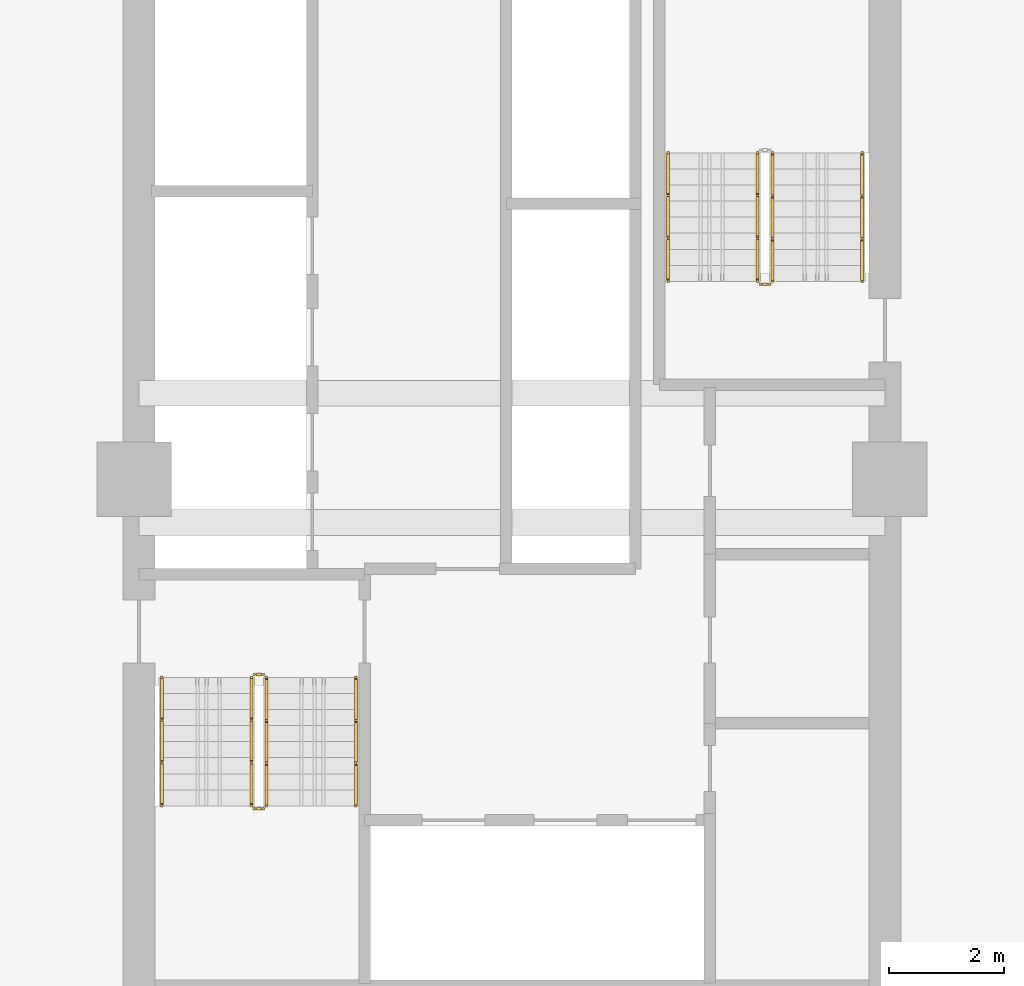
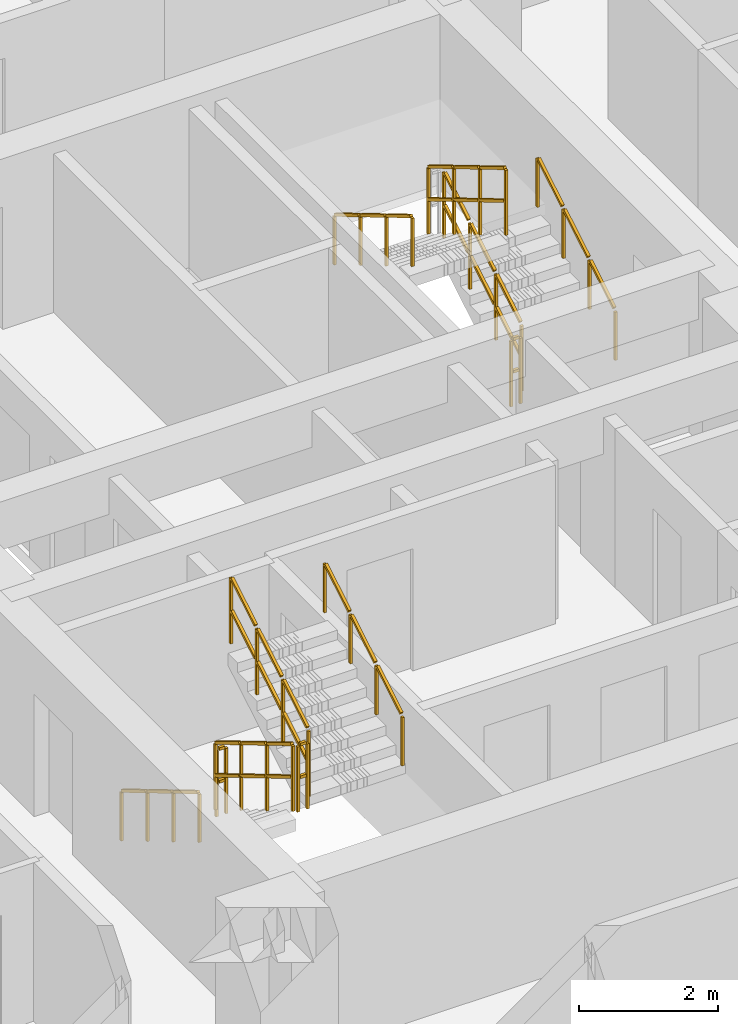
# One storey, part 13 of 15: 11 railings.
"""IFC4 building model written with IfcOpenShell, lengths in metres."""

from ifc_helpers import new_model, si_unit, direction, frame, origin, origin_2d, place, context, subcontext, project, spatial, rectangle, extrude, material, type_object, element, save


model = new_model("IFC4")

# Units and contexts
model_context = context("Model", 3, precision=1e-05, world=origin(), true_north=direction((0.0, 1.0)))
body_context = subcontext(model_context, "Body", "Model", "MODEL_VIEW")
ifc_project = project(units=[si_unit("LENGTHUNIT", "METRE"), si_unit("AREAUNIT", "SQUARE_METRE"), si_unit("VOLUMEUNIT", "CUBIC_METRE"), si_unit("PLANEANGLEUNIT", "RADIAN"), si_unit("MASSUNIT", "GRAM", prefix="KILO")], contexts=[model_context])

# Site, building, storey
site_placement = place(None, origin())
site = spatial("IfcSite", under=ifc_project, at=site_placement, CompositionType="ELEMENT")
building_placement = place(site_placement, origin())
building = spatial("IfcBuilding", under=site, at=building_placement, Name="Saelheon Loggia Tower", CompositionType="ELEMENT")
storey_placement = place(building_placement, frame((0.0, 0.0, 77.85009765625)))
storey = spatial("IfcBuildingStorey", under=building, at=storey_placement, Name="L24", CompositionType="ELEMENT", Elevation=77.85009765625)

# Railings
ifc_material_1 = material(Name="Galvanised Steel S275 Stairwell Guardrail", Category="steel")
railing_type_1 = type_object("IfcRailingType", Name="Guard_StairWell_RL_STG", PredefinedType="GUARDRAIL", material=ifc_material_1)
railing_1_placement = place(storey_placement, frame((33.4599609375, 23.550048828125, 0.16650390625)))
element("IfcRailing", 1, at=railing_1_placement, inside=storey, type_object=railing_type_1, Name="L24 ST1 stair guard 1", PredefinedType="GUARDRAIL", context=body_context, shape_type="SweptSolid", body=[
    extrude(rectangle(XDim=0.048095703125, YDim=0.048095703125, at=origin_2d()), frame((0.0, -0.028564453125, 1.19287109375), z_axis=(0.0, -0.859264461869, 0.511531606619), x_axis=(1.0, 0.0, 0.0)), (0.0, 0.0, 1.0), 0.802490234375),
    extrude(rectangle(XDim=0.048095703125, YDim=0.048095703125, at=origin_2d()), frame((0.0, -0.028564453125, 0.616943359375), z_axis=(0.0, -0.859264461869, 0.511531606619), x_axis=(1.0, 0.0, 0.0)), (0.0, 0.0, 1.0), 0.802490234375),
    extrude(rectangle(XDim=0.048095703125, YDim=0.048095703125, at=origin_2d()), frame((0.0, -0.775146484375, 1.637451171875), z_axis=(0.0, -0.859264461869, 0.511531606619), x_axis=(1.0, 0.0, 0.0)), (0.0, 0.0, 1.0), 0.802490234375),
    extrude(rectangle(XDim=0.048095703125, YDim=0.048095703125, at=origin_2d()), frame((0.0, -0.775146484375, 1.0615234375), z_axis=(0.0, -0.859264461869, 0.511531606619), x_axis=(1.0, 0.0, 0.0)), (0.0, 0.0, 1.0), 0.802490234375),
    extrude(rectangle(XDim=0.048095703125, YDim=0.048095703125, at=origin_2d()), frame((0.0, -1.52197265625, 2.081787109375), z_axis=(0.0, -0.859264461869, 0.511531606619), x_axis=(1.0, 0.0, 0.0)), (0.0, 0.0, 1.0), 0.802490234375),
    extrude(rectangle(XDim=0.048095703125, YDim=0.048095703125, at=origin_2d()), frame((0.0, -1.52197265625, 1.505859375), z_axis=(0.0, -0.859264461869, 0.511531606619), x_axis=(1.0, 0.0, 0.0)), (0.0, 0.0, 1.0), 0.802490234375),
    extrude(rectangle(XDim=0.0419921875, YDim=0.0419921875, at=origin_2d()), origin(), (0.0, 0.0, 1.0), 1.14794921875),
    extrude(rectangle(XDim=0.0419921875, YDim=0.0419921875, at=origin_2d()), frame((0.0, -0.74658203125, 0.444580078125)), (0.0, 0.0, 1.0), 1.14794921875),
    extrude(rectangle(XDim=0.0419921875, YDim=0.0419921875, at=origin_2d()), frame((0.0, -1.493408203125, 0.888916015625)), (0.0, 0.0, 1.0), 1.14794921875),
    extrude(rectangle(XDim=0.0419921875, YDim=0.0419921875, at=origin_2d()), frame((0.0, -2.239990234375, 1.33349609375)), (0.0, 0.0, 1.0), 1.14794921875),
])
railing_2_placement = place(storey_placement, frame((33.510009765625, 21.260009765625, 1.5)))
element("IfcRailing", 2, at=railing_2_placement, inside=storey, type_object=railing_type_1, Name="L24 ST1 stair guard 2", PredefinedType="GUARDRAIL", context=body_context, shape_type="SweptSolid", body=[
    extrude(rectangle(XDim=0.048095703125, YDim=0.048095703125, at=origin_2d()), frame((0.033203125, 0.0, 1.17578125), z_axis=(1.0, 0.0, 0.0), x_axis=(0.0, 1.0, 0.0)), (0.0, 0.0, 1.0), 0.093505859375),
    extrude(rectangle(XDim=0.048095703125, YDim=0.048095703125, at=origin_2d()), frame((0.033203125, 0.0, 0.60009765625), z_axis=(1.0, 0.0, 0.0), x_axis=(0.0, 1.0, 0.0)), (0.0, 0.0, 1.0), 0.093505859375),
    extrude(rectangle(XDim=0.0419921875, YDim=0.0419921875, at=origin_2d()), origin(), (0.0, 0.0, 1.0), 1.14794921875),
    extrude(rectangle(XDim=0.0419921875, YDim=0.0419921875, at=origin_2d()), frame((0.159912109375, 0.0, 0.0)), (0.0, 0.0, 1.0), 1.14794921875),
])
railing_3_placement = place(storey_placement, frame((33.719970703125, 21.31005859375, 1.66650390625)))
element("IfcRailing", 3, at=railing_3_placement, inside=storey, type_object=railing_type_1, Name="L24 ST1 stair guard 3", PredefinedType="GUARDRAIL", context=body_context, shape_type="SweptSolid", body=[
    extrude(rectangle(XDim=0.048095703125, YDim=0.048095703125, at=origin_2d()), frame((0.0, 0.028564453125, 1.19287109375), z_axis=(0.0, 0.859264461869, 0.511531606619), x_axis=(-1.0, 0.0, 0.0)), (0.0, 0.0, 1.0), 0.802490234375),
    extrude(rectangle(XDim=0.048095703125, YDim=0.048095703125, at=origin_2d()), frame((0.0, 0.028564453125, 0.616943359375), z_axis=(0.0, 0.859264461869, 0.511531606619), x_axis=(-1.0, 0.0, 0.0)), (0.0, 0.0, 1.0), 0.802490234375),
    extrude(rectangle(XDim=0.048095703125, YDim=0.048095703125, at=origin_2d()), frame((0.0, 0.775146484375, 1.637451171875), z_axis=(0.0, 0.859264461869, 0.511531606619), x_axis=(-1.0, 0.0, 0.0)), (0.0, 0.0, 1.0), 0.802490234375),
    extrude(rectangle(XDim=0.048095703125, YDim=0.048095703125, at=origin_2d()), frame((0.0, 0.775146484375, 1.0615234375), z_axis=(0.0, 0.859264461869, 0.511531606619), x_axis=(-1.0, 0.0, 0.0)), (0.0, 0.0, 1.0), 0.802490234375),
    extrude(rectangle(XDim=0.048095703125, YDim=0.048095703125, at=origin_2d()), frame((0.0, 1.52197265625, 2.081787109375), z_axis=(0.0, 0.859264461869, 0.511531606619), x_axis=(-1.0, 0.0, 0.0)), (0.0, 0.0, 1.0), 0.802490234375),
    extrude(rectangle(XDim=0.048095703125, YDim=0.048095703125, at=origin_2d()), frame((0.0, 1.52197265625, 1.505859375), z_axis=(0.0, 0.859264461869, 0.511531606619), x_axis=(-1.0, 0.0, 0.0)), (0.0, 0.0, 1.0), 0.802490234375),
    extrude(rectangle(XDim=0.0419921875, YDim=0.0419921875, at=origin_2d()), origin(), (0.0, 0.0, 1.0), 1.14794921875),
    extrude(rectangle(XDim=0.0419921875, YDim=0.0419921875, at=origin_2d()), frame((0.0, 0.74658203125, 0.444580078125)), (0.0, 0.0, 1.0), 1.14794921875),
    extrude(rectangle(XDim=0.0419921875, YDim=0.0419921875, at=origin_2d()), frame((0.0, 1.493408203125, 0.888916015625)), (0.0, 0.0, 1.0), 1.14794921875),
    extrude(rectangle(XDim=0.0419921875, YDim=0.0419921875, at=origin_2d()), frame((0.0, 2.239990234375, 1.33349609375)), (0.0, 0.0, 1.0), 1.14794921875),
])
railing_4_placement = place(storey_placement, frame((33.510009765625, 23.60009765625, 0.0)))
element("IfcRailing", 4, at=railing_4_placement, inside=storey, type_object=railing_type_1, Name="L24 ST1 stair guard 4", PredefinedType="GUARDRAIL", context=body_context, shape_type="SweptSolid", body=[
    extrude(rectangle(XDim=0.048095703125, YDim=0.048095703125, at=origin_2d()), frame((0.033203125, 0.0, 1.17578125), z_axis=(1.0, 0.0, 0.0), x_axis=(0.0, 1.0, 0.0)), (0.0, 0.0, 1.0), 0.093505859375),
    extrude(rectangle(XDim=0.048095703125, YDim=0.048095703125, at=origin_2d()), frame((0.033203125, 0.0, 0.60009765625), z_axis=(1.0, 0.0, 0.0), x_axis=(0.0, 1.0, 0.0)), (0.0, 0.0, 1.0), 0.093505859375),
    extrude(rectangle(XDim=0.0419921875, YDim=0.0419921875, at=origin_2d()), origin(), (0.0, 0.0, 1.0), 1.14794921875),
    extrude(rectangle(XDim=0.0419921875, YDim=0.0419921875, at=origin_2d()), frame((0.159912109375, 0.0, 0.0)), (0.0, 0.0, 1.0), 1.14794921875),
])
railing_5_placement = place(storey_placement, frame((42.5400390625, 30.449951171875, 0.16650390625)))
element("IfcRailing", 5, at=railing_5_placement, inside=storey, type_object=railing_type_1, Name="L24 ST2 stair guard 1", PredefinedType="GUARDRAIL", context=body_context, shape_type="SweptSolid", body=[
    extrude(rectangle(XDim=0.048095703125, YDim=0.048095703125, at=origin_2d()), frame((0.0, 0.028564453125, 1.19287109375), z_axis=(0.0, 0.859264461869, 0.511531606619), x_axis=(-1.0, 0.0, 0.0)), (0.0, 0.0, 1.0), 0.802490234375),
    extrude(rectangle(XDim=0.048095703125, YDim=0.048095703125, at=origin_2d()), frame((0.0, 0.028564453125, 0.616943359375), z_axis=(0.0, 0.859264461869, 0.511531606619), x_axis=(-1.0, 0.0, 0.0)), (0.0, 0.0, 1.0), 0.802490234375),
    extrude(rectangle(XDim=0.048095703125, YDim=0.048095703125, at=origin_2d()), frame((0.0, 0.775146484375, 1.637451171875), z_axis=(0.0, 0.859264461869, 0.511531606619), x_axis=(-1.0, 0.0, 0.0)), (0.0, 0.0, 1.0), 0.802490234375),
    extrude(rectangle(XDim=0.048095703125, YDim=0.048095703125, at=origin_2d()), frame((0.0, 0.775146484375, 1.0615234375), z_axis=(0.0, 0.859264461869, 0.511531606619), x_axis=(-1.0, 0.0, 0.0)), (0.0, 0.0, 1.0), 0.802490234375),
    extrude(rectangle(XDim=0.048095703125, YDim=0.048095703125, at=origin_2d()), frame((0.0, 1.52197265625, 2.081787109375), z_axis=(0.0, 0.859264461869, 0.511531606619), x_axis=(-1.0, 0.0, 0.0)), (0.0, 0.0, 1.0), 0.802490234375),
    extrude(rectangle(XDim=0.048095703125, YDim=0.048095703125, at=origin_2d()), frame((0.0, 1.52197265625, 1.505859375), z_axis=(0.0, 0.859264461869, 0.511531606619), x_axis=(-1.0, 0.0, 0.0)), (0.0, 0.0, 1.0), 0.802490234375),
    extrude(rectangle(XDim=0.0419921875, YDim=0.0419921875, at=origin_2d()), origin(), (0.0, 0.0, 1.0), 1.14794921875),
    extrude(rectangle(XDim=0.0419921875, YDim=0.0419921875, at=origin_2d()), frame((0.0, 0.74658203125, 0.444580078125)), (0.0, 0.0, 1.0), 1.14794921875),
    extrude(rectangle(XDim=0.0419921875, YDim=0.0419921875, at=origin_2d()), frame((0.0, 1.493408203125, 0.888916015625)), (0.0, 0.0, 1.0), 1.14794921875),
    extrude(rectangle(XDim=0.0419921875, YDim=0.0419921875, at=origin_2d()), frame((0.0, 2.239990234375, 1.33349609375)), (0.0, 0.0, 1.0), 1.14794921875),
])
railing_6_placement = place(storey_placement, frame((42.280029296875, 32.68994140625, 1.66650390625)))
element("IfcRailing", 6, at=railing_6_placement, inside=storey, type_object=railing_type_1, Name="L24 ST2 stair guard 3", PredefinedType="GUARDRAIL", context=body_context, shape_type="SweptSolid", body=[
    extrude(rectangle(XDim=0.048095703125, YDim=0.048095703125, at=origin_2d()), frame((0.0, -0.028564453125, 1.19287109375), z_axis=(0.0, -0.859264461869, 0.511531606619), x_axis=(1.0, 0.0, 0.0)), (0.0, 0.0, 1.0), 0.802490234375),
    extrude(rectangle(XDim=0.048095703125, YDim=0.048095703125, at=origin_2d()), frame((0.0, -0.028564453125, 0.616943359375), z_axis=(0.0, -0.859264461869, 0.511531606619), x_axis=(1.0, 0.0, 0.0)), (0.0, 0.0, 1.0), 0.802490234375),
    extrude(rectangle(XDim=0.048095703125, YDim=0.048095703125, at=origin_2d()), frame((0.0, -0.775146484375, 1.637451171875), z_axis=(0.0, -0.859264461869, 0.511531606619), x_axis=(1.0, 0.0, 0.0)), (0.0, 0.0, 1.0), 0.802490234375),
    extrude(rectangle(XDim=0.048095703125, YDim=0.048095703125, at=origin_2d()), frame((0.0, -0.775146484375, 1.0615234375), z_axis=(0.0, -0.859264461869, 0.511531606619), x_axis=(1.0, 0.0, 0.0)), (0.0, 0.0, 1.0), 0.802490234375),
    extrude(rectangle(XDim=0.048095703125, YDim=0.048095703125, at=origin_2d()), frame((0.0, -1.52197265625, 2.081787109375), z_axis=(0.0, -0.859264461869, 0.511531606619), x_axis=(1.0, 0.0, 0.0)), (0.0, 0.0, 1.0), 0.802490234375),
    extrude(rectangle(XDim=0.048095703125, YDim=0.048095703125, at=origin_2d()), frame((0.0, -1.52197265625, 1.505859375), z_axis=(0.0, -0.859264461869, 0.511531606619), x_axis=(1.0, 0.0, 0.0)), (0.0, 0.0, 1.0), 0.802490234375),
    extrude(rectangle(XDim=0.0419921875, YDim=0.0419921875, at=origin_2d()), origin(), (0.0, 0.0, 1.0), 1.14794921875),
    extrude(rectangle(XDim=0.0419921875, YDim=0.0419921875, at=origin_2d()), frame((0.0, -0.74658203125, 0.444580078125)), (0.0, 0.0, 1.0), 1.14794921875),
    extrude(rectangle(XDim=0.0419921875, YDim=0.0419921875, at=origin_2d()), frame((0.0, -1.493408203125, 0.888916015625)), (0.0, 0.0, 1.0), 1.14794921875),
    extrude(rectangle(XDim=0.0419921875, YDim=0.0419921875, at=origin_2d()), frame((0.0, -2.239990234375, 1.33349609375)), (0.0, 0.0, 1.0), 1.14794921875),
])
railing_7_placement = place(storey_placement, frame((42.489990234375, 30.39990234375, 0.0)))
element("IfcRailing", 7, at=railing_7_placement, inside=storey, type_object=railing_type_1, Name="L24 ST2 stair guard 4", PredefinedType="GUARDRAIL", context=body_context, shape_type="SweptSolid", body=[
    extrude(rectangle(XDim=0.048095703125, YDim=0.048095703125, at=origin_2d()), frame((-0.033203125, 0.0, 1.17578125), z_axis=(-1.0, 0.0, 0.0), x_axis=(0.0, -1.0, 0.0)), (0.0, 0.0, 1.0), 0.093505859375),
    extrude(rectangle(XDim=0.048095703125, YDim=0.048095703125, at=origin_2d()), frame((-0.033203125, 0.0, 0.60009765625), z_axis=(-1.0, 0.0, 0.0), x_axis=(0.0, -1.0, 0.0)), (0.0, 0.0, 1.0), 0.093505859375),
    extrude(rectangle(XDim=0.0419921875, YDim=0.0419921875, at=origin_2d()), origin(), (0.0, 0.0, 1.0), 1.14794921875),
    extrude(rectangle(XDim=0.0419921875, YDim=0.0419921875, at=origin_2d()), frame((-0.159912109375, 0.0, 0.0)), (0.0, 0.0, 1.0), 1.14794921875),
])
ifc_material_2 = material(Name="Stainless Steel 304 Tubular Handrail", Category="steel")
railing_type_2 = type_object("IfcRailingType", Name="Handrail_Stair_RL_HR1", PredefinedType="HANDRAIL", material=ifc_material_2)
railing_8_placement = place(storey_placement, frame((31.89990234375, 23.550048828125, 0.16650390625)))
element("IfcRailing", 8, at=railing_8_placement, inside=storey, type_object=railing_type_2, Name="L24 ST1 stair handrail 1", PredefinedType="HANDRAIL", context=body_context, shape_type="SweptSolid", body=[
    extrude(rectangle(XDim=0.048095703125, YDim=0.048095703125, at=origin_2d()), frame((0.0, -0.028564453125, 0.892822265625), z_axis=(0.0, -0.859264461869, 0.511531606619), x_axis=(1.0, 0.0, 0.0)), (0.0, 0.0, 1.0), 0.802490234375),
    extrude(rectangle(XDim=0.048095703125, YDim=0.048095703125, at=origin_2d()), frame((0.0, -0.775146484375, 1.33740234375), z_axis=(0.0, -0.859264461869, 0.511531606619), x_axis=(1.0, 0.0, 0.0)), (0.0, 0.0, 1.0), 0.802490234375),
    extrude(rectangle(XDim=0.048095703125, YDim=0.048095703125, at=origin_2d()), frame((0.0, -1.52197265625, 1.78173828125), z_axis=(0.0, -0.859264461869, 0.511531606619), x_axis=(1.0, 0.0, 0.0)), (0.0, 0.0, 1.0), 0.802490234375),
    extrude(rectangle(XDim=0.0419921875, YDim=0.0419921875, at=origin_2d()), origin(), (0.0, 0.0, 1.0), 0.847900390625),
    extrude(rectangle(XDim=0.0419921875, YDim=0.0419921875, at=origin_2d()), frame((0.0, -0.74658203125, 0.444580078125)), (0.0, 0.0, 1.0), 0.847900390625),
    extrude(rectangle(XDim=0.0419921875, YDim=0.0419921875, at=origin_2d()), frame((0.0, -1.493408203125, 0.888916015625)), (0.0, 0.0, 1.0), 0.847900390625),
    extrude(rectangle(XDim=0.0419921875, YDim=0.0419921875, at=origin_2d()), frame((0.0, -2.239990234375, 1.33349609375)), (0.0, 0.0, 1.0), 0.847900390625),
])
for number, where, name in (
    (9, (35.280029296875, 21.31005859375, 1.66650390625), "L24 ST1 stair handrail 2"),
    (10, (44.10009765625, 30.449951171875, 0.16650390625), "L24 ST2 stair handrail 1"),
):
    element("IfcRailing", number, at=place(storey_placement, frame(where)), inside=storey, type_object=railing_type_2, Name=name, PredefinedType="HANDRAIL", context=body_context, shape_type="SweptSolid", body=[
        extrude(rectangle(XDim=0.048095703125, YDim=0.048095703125, at=origin_2d()), frame((0.0, 0.028564453125, 0.892822265625), z_axis=(0.0, 0.859264461869, 0.511531606619), x_axis=(-1.0, 0.0, 0.0)), (0.0, 0.0, 1.0), 0.802490234375),
        extrude(rectangle(XDim=0.048095703125, YDim=0.048095703125, at=origin_2d()), frame((0.0, 0.775146484375, 1.33740234375), z_axis=(0.0, 0.859264461869, 0.511531606619), x_axis=(-1.0, 0.0, 0.0)), (0.0, 0.0, 1.0), 0.802490234375),
        extrude(rectangle(XDim=0.048095703125, YDim=0.048095703125, at=origin_2d()), frame((0.0, 1.52197265625, 1.78173828125), z_axis=(0.0, 0.859264461869, 0.511531606619), x_axis=(-1.0, 0.0, 0.0)), (0.0, 0.0, 1.0), 0.802490234375),
        extrude(rectangle(XDim=0.0419921875, YDim=0.0419921875, at=origin_2d()), origin(), (0.0, 0.0, 1.0), 0.847900390625),
        extrude(rectangle(XDim=0.0419921875, YDim=0.0419921875, at=origin_2d()), frame((0.0, 0.74658203125, 0.444580078125)), (0.0, 0.0, 1.0), 0.847900390625),
        extrude(rectangle(XDim=0.0419921875, YDim=0.0419921875, at=origin_2d()), frame((0.0, 1.493408203125, 0.888916015625)), (0.0, 0.0, 1.0), 0.847900390625),
        extrude(rectangle(XDim=0.0419921875, YDim=0.0419921875, at=origin_2d()), frame((0.0, 2.239990234375, 1.33349609375)), (0.0, 0.0, 1.0), 0.847900390625),
    ])
railing_9_placement = place(storey_placement, frame((40.719970703125, 32.68994140625, 1.66650390625)))
element("IfcRailing", 11, at=railing_9_placement, inside=storey, type_object=railing_type_2, Name="L24 ST2 stair handrail 2", PredefinedType="HANDRAIL", context=body_context, shape_type="SweptSolid", body=[
    extrude(rectangle(XDim=0.048095703125, YDim=0.048095703125, at=origin_2d()), frame((0.0, -0.028564453125, 0.892822265625), z_axis=(0.0, -0.859264461869, 0.511531606619), x_axis=(1.0, 0.0, 0.0)), (0.0, 0.0, 1.0), 0.802490234375),
    extrude(rectangle(XDim=0.048095703125, YDim=0.048095703125, at=origin_2d()), frame((0.0, -0.775146484375, 1.33740234375), z_axis=(0.0, -0.859264461869, 0.511531606619), x_axis=(1.0, 0.0, 0.0)), (0.0, 0.0, 1.0), 0.802490234375),
    extrude(rectangle(XDim=0.048095703125, YDim=0.048095703125, at=origin_2d()), frame((0.0, -1.52197265625, 1.78173828125), z_axis=(0.0, -0.859264461869, 0.511531606619), x_axis=(1.0, 0.0, 0.0)), (0.0, 0.0, 1.0), 0.802490234375),
    extrude(rectangle(XDim=0.0419921875, YDim=0.0419921875, at=origin_2d()), origin(), (0.0, 0.0, 1.0), 0.847900390625),
    extrude(rectangle(XDim=0.0419921875, YDim=0.0419921875, at=origin_2d()), frame((0.0, -0.74658203125, 0.444580078125)), (0.0, 0.0, 1.0), 0.847900390625),
    extrude(rectangle(XDim=0.0419921875, YDim=0.0419921875, at=origin_2d()), frame((0.0, -1.493408203125, 0.888916015625)), (0.0, 0.0, 1.0), 0.847900390625),
    extrude(rectangle(XDim=0.0419921875, YDim=0.0419921875, at=origin_2d()), frame((0.0, -2.239990234375, 1.33349609375)), (0.0, 0.0, 1.0), 0.847900390625),
])

save(model, "model.ifc")
